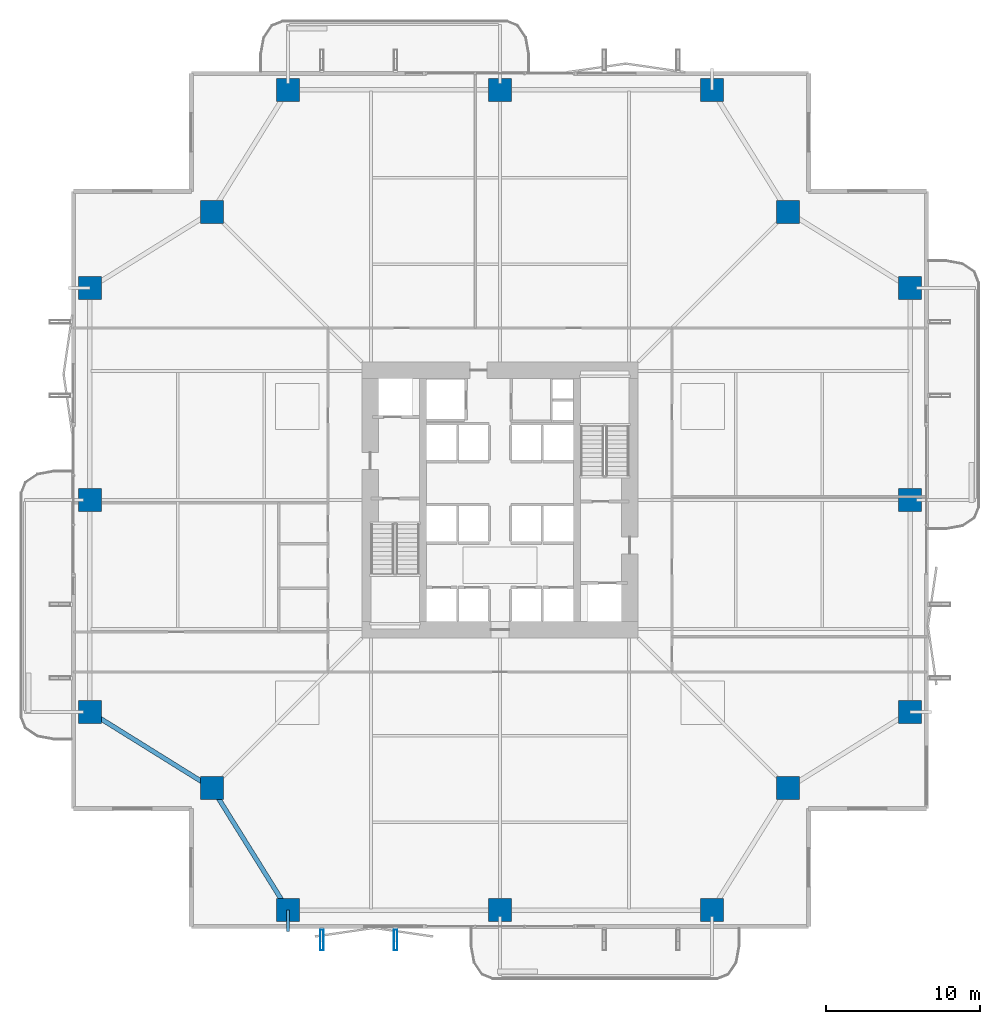
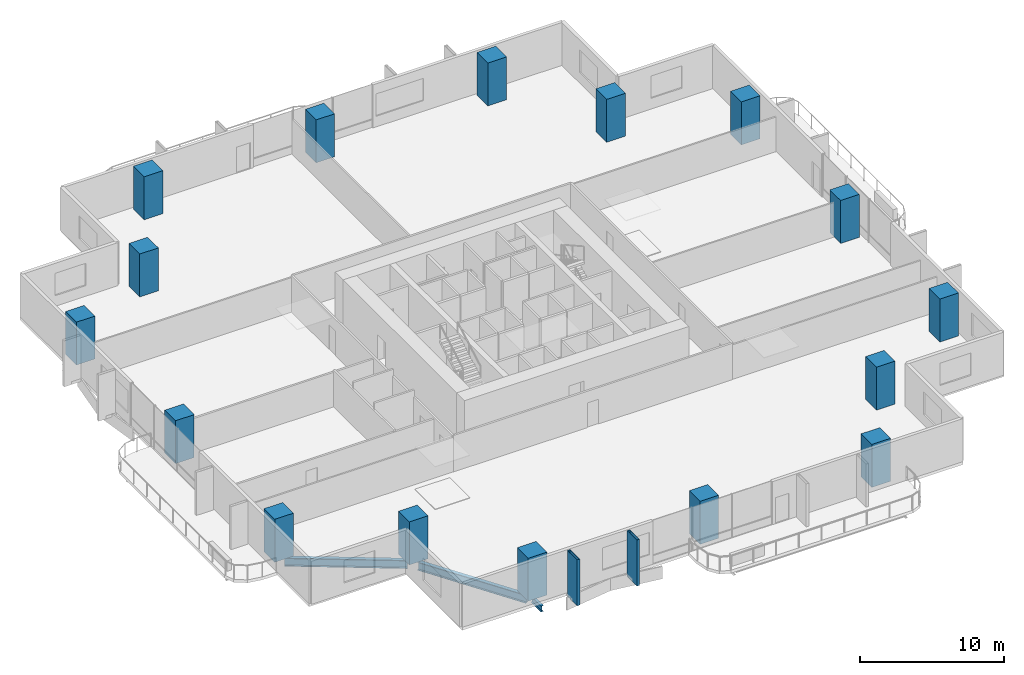
# One storey, part 1 of 23: 16 columns, 3 beams, 2 members.
"""IFC4 building model written with IfcOpenShell, lengths in metres."""

from ifc_helpers import new_model, si_unit, direction, frame, origin, origin_2d, place, context, subcontext, project, spatial, rectangle, hollow_rectangle, i_section, extrude, material, material_profile, profile_set, type_object, element, save


model = new_model("IFC4")

# Units and contexts
model_context = context("Model", 3, precision=1e-05, world=origin(), true_north=direction((0.0, 1.0)))
body_context = subcontext(model_context, "Body", "Model", "MODEL_VIEW")
ifc_project = project(units=[si_unit("LENGTHUNIT", "METRE"), si_unit("AREAUNIT", "SQUARE_METRE"), si_unit("VOLUMEUNIT", "CUBIC_METRE"), si_unit("PLANEANGLEUNIT", "RADIAN"), si_unit("MASSUNIT", "GRAM", prefix="KILO")], contexts=[model_context])

# Site, building, storey
site_placement = place(None, origin())
site = spatial("IfcSite", under=ifc_project, at=site_placement, CompositionType="ELEMENT")
building_placement = place(site_placement, origin())
building = spatial("IfcBuilding", under=site, at=building_placement, Name="Belovzor Exchange Tower", CompositionType="ELEMENT")
storey_placement = place(building_placement, frame((0.0, 0.0, 84.60009765625)))
storey = spatial("IfcBuildingStorey", under=building, at=storey_placement, Name="L20", CompositionType="ELEMENT", Elevation=84.60009765625)

# Columns
ifc_material_1 = material(Name="Concrete C60/75", Category="concrete")
ifc_material_profile_1 = material_profile(ifc_material_1, rectangle(XDim=1.5, YDim=1.5, at=origin_2d()))
ifc_profile_set_1 = profile_set([ifc_material_profile_1], Name="Concrete C60/75")
column_type = type_object("IfcColumnType", Name="Reinforced Concrete Tower Column 1500x1500", PredefinedType="COLUMN", material=ifc_profile_set_1)
for number, where, z_axis, x_axis, name in (
    (1, (15.0, 2.10009765625, 0.0029296875), (0.0, 0.0, 1.0), (1.0, 0.0, 0.0), "COL-T150 Reinforced Concrete Tower Column 1500x1500"),
    (2, (28.800048828125, 2.10009765625, 0.0029296875), (0.0, 0.0, 1.0), (1.0, 0.0, 0.0), "COL-T150 Reinforced Concrete Tower Column 1500x1500"),
    (3, (42.60009765625, 2.10009765625, 0.0029296875), (0.0, 0.0, 1.0), (1.0, 0.0, 0.0), "COL-T150 Reinforced Concrete Tower Column 1500x1500"),
    (4, (55.5, 15.0, 0.0029296875), (0.0, 0.0, 1.0), (1.0, 0.0, 0.0), "COL-T150 Reinforced Concrete Tower Column 1500x1500"),
    (5, (55.5, 28.800048828125, 0.0029296875), (0.0, 0.0, 1.0), (1.0, 0.0, 0.0), "COL-T150 Reinforced Concrete Tower Column 1500x1500"),
    (6, (55.5, 42.60009765625, 0.0029296875), (0.0, 0.0, 1.0), (1.0, 0.0, 0.0), "COL-T150 Reinforced Concrete Tower Column 1500x1500"),
    (7, (42.60009765625, 55.5, 0.0029296875), (0.0, 0.0, 1.0), (1.0, 0.0, 0.0), "COL-T150 Reinforced Concrete Tower Column 1500x1500"),
    (8, (28.800048828125, 55.5, 0.0029296875), (0.0, 0.0, 1.0), (1.0, 0.0, 0.0), "COL-T150 Reinforced Concrete Tower Column 1500x1500"),
    (9, (15.0, 55.5, 0.0029296875), (0.0, 0.0, 1.0), (1.0, 0.0, 0.0), "COL-T150 Reinforced Concrete Tower Column 1500x1500"),
    (10, (2.10009765625, 42.60009765625, 0.0029296875), (0.0, 0.0, 1.0), (1.0, 0.0, 0.0), "COL-T150 Reinforced Concrete Tower Column 1500x1500"),
    (11, (2.10009765625, 28.800048828125, 0.0029296875), (0.0, 0.0, 1.0), (1.0, 0.0, 0.0), "COL-T150 Reinforced Concrete Tower Column 1500x1500"),
    (12, (2.10009765625, 15.0, 0.0029296875), (0.0, 0.0, 1.0), (1.0, 0.0, 0.0), "COL-T150 Reinforced Concrete Tower Column 1500x1500"),
    (13, (10.050048828125, 10.050048828125, 0.0029296875), (0.0, 0.0, 1.0), (1.0, 0.0, 0.0), "COL-T150 Reinforced Concrete Tower Column 1500x1500"),
    (14, (47.550048828125, 10.050048828125, 0.0029296875), (0.0, 0.0, 1.0), (1.0, 0.0, 0.0), "COL-T150 Reinforced Concrete Tower Column 1500x1500"),
    (15, (47.550048828125, 47.550048828125, 0.0029296875), (0.0, 0.0, 1.0), (1.0, 0.0, 0.0), "COL-T150 Reinforced Concrete Tower Column 1500x1500"),
    (16, (10.050048828125, 47.550048828125, 0.0029296875), (0.0, 0.0, 1.0), (1.0, 0.0, 0.0), "COL-T150 Reinforced Concrete Tower Column 1500x1500"),
):
    element("IfcColumn", number, at=place(storey_placement, frame(where, z_axis=z_axis, x_axis=x_axis)), inside=storey, type_object=column_type, Name=name, PredefinedType="COLUMN", context=body_context, shape_type="SweptSolid", body=[
        extrude(rectangle(XDim=1.5, YDim=1.5, at=origin_2d()), origin(), (0.0, 0.0, 1.0), 3.64404296875),
    ])

# Members
ifc_material_2 = material(Name="Extruded Architectural Terracotta on Steel S355 Carrier", Category="masonry")
ifc_material_profile_2 = material_profile(ifc_material_2, hollow_rectangle(XDim=0.219970703125, YDim=1.35009765625, WallThickness=0.013916015625, at=origin_2d()))
ifc_profile_set_2 = profile_set([ifc_material_profile_2], Name="Extruded Architectural Terracotta on Steel S355 Carrier")
member_type = type_object("IfcMemberType", Name="Base Arc Sweeping Terracotta Pylon Fin 1450", PredefinedType="USERDEFINED", material=ifc_profile_set_2)
for number, where, z_axis, x_axis, name in (
    (17, (17.199951171875, 0.14990234375, -0.25), (0.0, 0.0, 1.0), (1.0, 0.0, 0.0), "FIN-TC145 Terracotta Facade Fin L20 S1"),
    (18, (22.0, 0.14990234375, -0.25), (0.0, 0.0, 1.0), (1.0, 0.0, 0.0), "FIN-TC145 Terracotta Facade Fin L20 S2"),
):
    element("IfcMember", number, at=place(storey_placement, frame(where, z_axis=z_axis, x_axis=x_axis)), inside=storey, type_object=member_type, Name=name, ObjectType="FIN", PredefinedType="USERDEFINED", context=body_context, shape_type="SweptSolid", body=[
        extrude(hollow_rectangle(XDim=0.219970703125, YDim=1.35009765625, WallThickness=0.013916015625, at=origin_2d()), origin(), (0.0, 0.0, 1.0), 3.89990234375),
    ])

# Beams
ifc_material_3 = material(Name="Steel S355", Category="steel")
ifc_material_profile_3 = material_profile(ifc_material_3, i_section(OverallWidth=0.199951171875, OverallDepth=0.5, WebThickness=0.01025390625, FlangeThickness=0.01611328125, at=origin_2d()))
ifc_profile_set_3 = profile_set([ifc_material_profile_3], Name="Steel S355")
beam_type_1 = type_object("IfcBeamType", Name="Planted Balcony Cantilever Beam IPE 500", PredefinedType="BEAM", material=ifc_profile_set_3)
beam_placement = place(storey_placement, frame((15.0, 2.10009765625, -0.5), z_axis=(0.0, -1.0, 0.0), x_axis=(1.0, 0.0, 0.0)))
element("IfcBeam", 19, at=beam_placement, inside=storey, type_object=beam_type_1, Name="BC-500 Planted Balcony Cantilever Beam IPE 500", PredefinedType="BEAM", context=body_context, shape_type="SweptSolid", body=[
    extrude(i_section(OverallWidth=0.199951171875, OverallDepth=0.5, WebThickness=0.01025390625, FlangeThickness=0.01611328125, at=origin_2d()), origin(), (0.0, 0.0, 1.0), 1.400146484375),
])
ifc_material_4 = material(Name="Steel S355", Category="steel")
ifc_material_profile_4 = material_profile(ifc_material_4, i_section(OverallWidth=0.300048828125, OverallDepth=0.699951171875, WebThickness=0.01708984375, FlangeThickness=0.031982421875, at=origin_2d()))
ifc_profile_set_4 = profile_set([ifc_material_profile_4], Name="Steel S355")
beam_type_2 = type_object("IfcBeamType", Name="Zone 1 Primary Perimeter Girder HEB 700", PredefinedType="BEAM", material=ifc_profile_set_4)
for number, where, z_axis, x_axis, name in (
    (20, (10.26806640625, 9.699951171875, -0.60009765625), (0.528538629686, -0.848909251292, 0.0), (0.848909251292, 0.528538629686, 0.0), "FG-Z1 Zone 1 Primary Perimeter Girder HEB 700"),
    (21, (2.449951171875, 14.781982421875, -0.60009765625), (0.848909251292, -0.528538629686, 0.0), (0.528538629686, 0.848909251292, 0.0), "FG-Z1 Zone 1 Primary Perimeter Girder HEB 700"),
):
    element("IfcBeam", number, at=place(storey_placement, frame(where, z_axis=z_axis, x_axis=x_axis)), inside=storey, type_object=beam_type_2, Name=name, PredefinedType="BEAM", context=body_context, shape_type="SweptSolid", body=[
        extrude(i_section(OverallWidth=0.300048828125, OverallDepth=0.699951171875, WebThickness=0.01708984375, FlangeThickness=0.031982421875, at=origin_2d()), origin(), (0.0, 0.0, 1.0), 8.540283203125),
    ])

save(model, "model.ifc")
